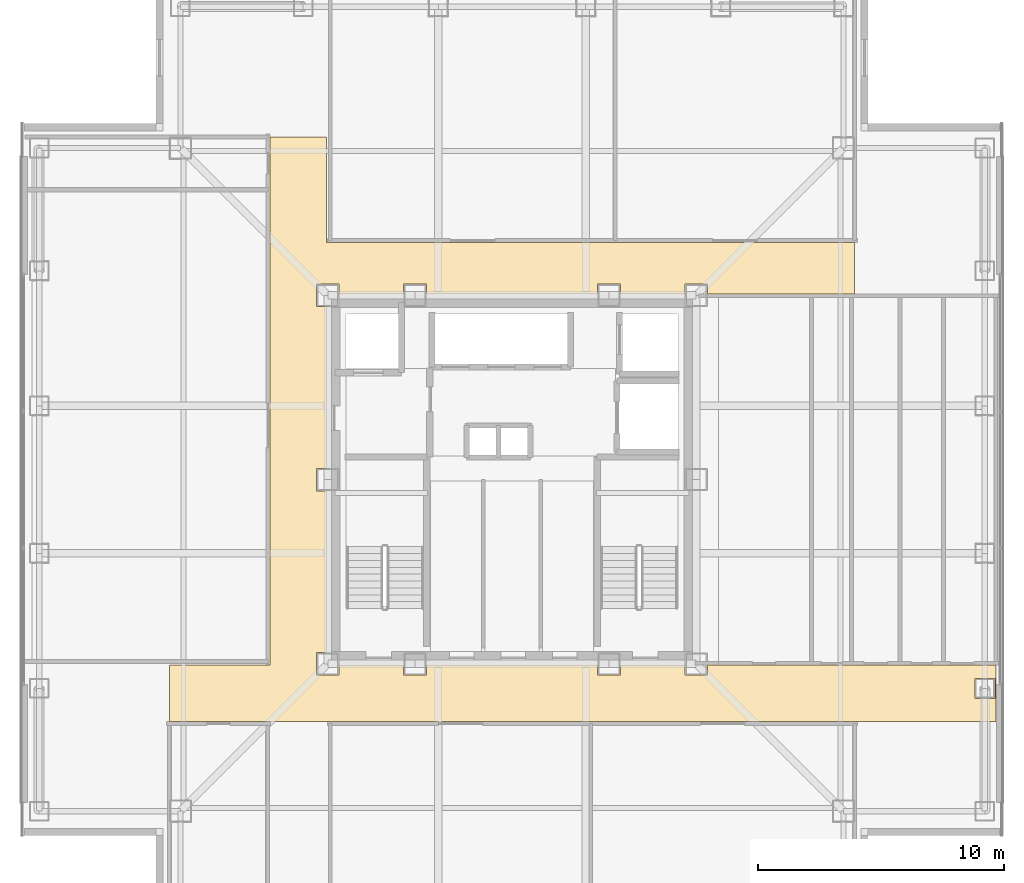
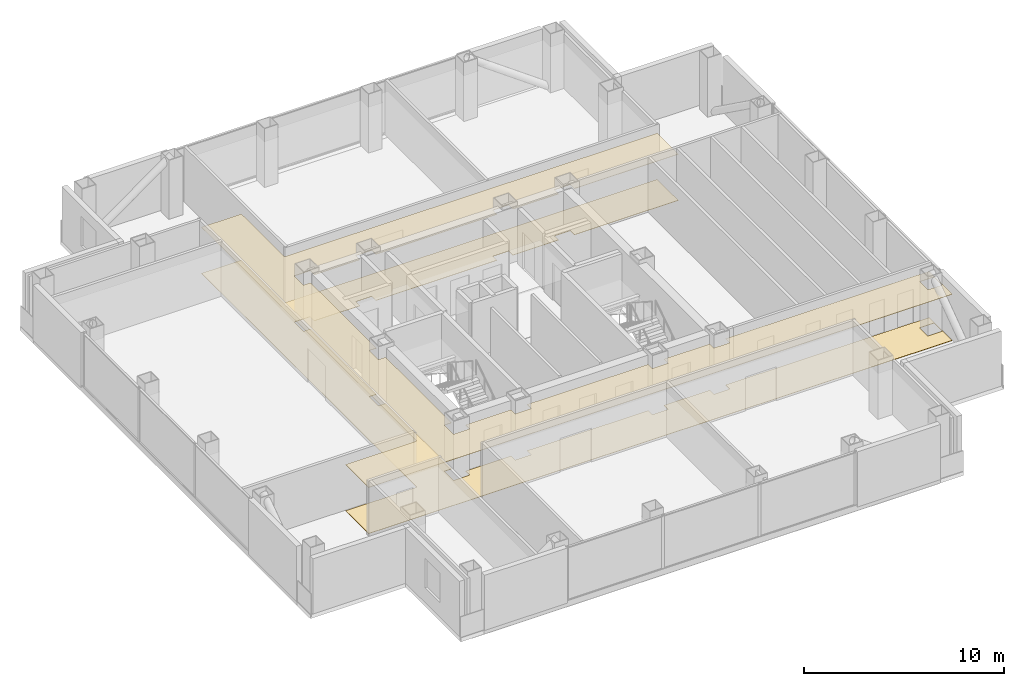
# One storey, part 15 of 17: 2 coverings.
"""IFC4 building model written with IfcOpenShell, lengths in metres."""

from ifc_helpers import new_model, si_unit, direction, frame, origin, place, context, subcontext, project, spatial, polyline, outline, extrude, material, layer, layer_set, type_object, element, save


model = new_model("IFC4")

# Units and contexts
model_context = context("Model", 3, precision=1e-05, world=origin(), true_north=direction((0.0, 1.0)))
body_context = subcontext(model_context, "Body", "Model", "MODEL_VIEW")
ifc_project = project(units=[si_unit("LENGTHUNIT", "METRE"), si_unit("AREAUNIT", "SQUARE_METRE"), si_unit("VOLUMEUNIT", "CUBIC_METRE"), si_unit("PLANEANGLEUNIT", "RADIAN"), si_unit("MASSUNIT", "GRAM", prefix="KILO")], contexts=[model_context])

# Site, building, storey
site_placement = place(None, origin())
site = spatial("IfcSite", under=ifc_project, at=site_placement, CompositionType="ELEMENT")
building_placement = place(site_placement, origin())
building = spatial("IfcBuilding", under=site, at=building_placement, Name="Trevonay Congress Spire", CompositionType="ELEMENT")
storey_placement = place(building_placement, frame((0.0, 0.0, 191.39990234375)))
storey = spatial("IfcBuildingStorey", under=building, at=storey_placement, Name="L49", CompositionType="ELEMENT", Elevation=191.39990234375)

# Coverings
ifc_material_1 = material(Name="Acoustic Mineral Fibre Board", Category="gypsum")
ifc_layer_1 = layer(ifc_material_1, 0.02490234375, Name="Acoustic Mineral Fibre Board")
ifc_layer_set_1 = layer_set([ifc_layer_1], Name="Acoustic Mineral Fibre Board")
covering_type_1 = type_object("IfcCoveringType", Name="COV-CEIL-ACOUSTIC", PredefinedType="CEILING", material=ifc_layer_set_1)
covering_1_placement = place(storey_placement, frame((0.0, 0.0, 2.81005859375)))
element("IfcCovering", 1, at=covering_1_placement, inside=storey, type_object=covering_type_1, Name="L49 Cruciform Boulevard Corridor acoustic suspended ceiling", PredefinedType="CEILING", context=body_context, shape_type="SweptSolid", body=[
    extrude(outline(polyline([(19.699951171875, -7.550048828125), (19.699951171875, -9.85009765625), (-13.949951171875, -9.85009765625), (-13.949951171875, -7.550048828125), (-9.85009765625, -7.550048828125), (-9.85009765625, 13.949951171875), (-7.550048828125, 13.949951171875), (-7.550048828125, 9.64990234375), (13.949951171875, 9.64990234375), (13.949951171875, 7.550048828125), (7.9599609375, 7.550048828125), (7.9599609375, 7.9599609375), (7.0400390625, 7.9599609375), (7.0400390625, 7.550048828125), (4.409912109375, 7.550048828125), (4.409912109375, 7.9599609375), (3.489990234375, 7.9599609375), (3.489990234375, 7.550048828125), (-3.489990234375, 7.550048828125), (-3.489990234375, 7.9599609375), (-4.409912109375, 7.9599609375), (-4.409912109375, 7.550048828125), (-7.0400390625, 7.550048828125), (-7.0400390625, 7.9599609375), (-7.9599609375, 7.9599609375), (-7.9599609375, 7.0400390625), (-7.550048828125, 7.0400390625), (-7.550048828125, 0.4599609375), (-7.9599609375, 0.4599609375), (-7.9599609375, -0.4599609375), (-7.550048828125, -0.4599609375), (-7.550048828125, -7.0400390625), (-7.9599609375, -7.0400390625), (-7.9599609375, -7.9599609375), (-7.0400390625, -7.9599609375), (-7.0400390625, -7.550048828125), (-4.409912109375, -7.550048828125), (-4.409912109375, -7.9599609375), (-3.489990234375, -7.9599609375), (-3.489990234375, -7.550048828125), (3.489990234375, -7.550048828125), (3.489990234375, -7.9599609375), (4.409912109375, -7.9599609375), (4.409912109375, -7.550048828125), (7.0400390625, -7.550048828125), (7.0400390625, -7.9599609375), (7.9599609375, -7.9599609375), (7.9599609375, -7.550048828125), (19.699951171875, -7.550048828125)]), holes=[polyline([(19.659912109375, -8.090087890625), (18.840087890625, -8.090087890625), (18.840087890625, -8.909912109375), (19.659912109375, -8.909912109375), (19.659912109375, -8.090087890625)])]), origin(), (0.0, 0.0, 1.0), 0.025146484375),
])
ifc_material_2 = material(Name="Polished Granite Floor Tile", Category="masonry")
ifc_layer_2 = layer(ifc_material_2, 0.02001953125, Name="Polished Granite Floor Tile")
ifc_layer_set_2 = layer_set([ifc_layer_2], Name="Polished Granite Floor Tile")
covering_type_2 = type_object("IfcCoveringType", Name="COV-FLOOR-STONE", PredefinedType="FLOORING", material=ifc_layer_set_2)
covering_2_placement = place(storey_placement, origin())
element("IfcCovering", 2, at=covering_2_placement, inside=storey, type_object=covering_type_2, Name="L49 Cruciform Boulevard Corridor floor finish", PredefinedType="FLOORING", context=body_context, shape_type="SweptSolid", body=[
    extrude(outline(polyline([(19.699951171875, -7.550048828125), (19.699951171875, -9.85009765625), (-13.949951171875, -9.85009765625), (-13.949951171875, -7.550048828125), (-9.85009765625, -7.550048828125), (-9.85009765625, 13.949951171875), (-7.550048828125, 13.949951171875), (-7.550048828125, 9.64990234375), (13.949951171875, 9.64990234375), (13.949951171875, 7.550048828125), (7.9599609375, 7.550048828125), (7.9599609375, 7.9599609375), (7.0400390625, 7.9599609375), (7.0400390625, 7.550048828125), (4.409912109375, 7.550048828125), (4.409912109375, 7.9599609375), (3.489990234375, 7.9599609375), (3.489990234375, 7.550048828125), (-3.489990234375, 7.550048828125), (-3.489990234375, 7.9599609375), (-4.409912109375, 7.9599609375), (-4.409912109375, 7.550048828125), (-7.0400390625, 7.550048828125), (-7.0400390625, 7.9599609375), (-7.9599609375, 7.9599609375), (-7.9599609375, 7.0400390625), (-7.550048828125, 7.0400390625), (-7.550048828125, 0.4599609375), (-7.9599609375, 0.4599609375), (-7.9599609375, -0.4599609375), (-7.550048828125, -0.4599609375), (-7.550048828125, -7.0400390625), (-7.9599609375, -7.0400390625), (-7.9599609375, -7.9599609375), (-7.0400390625, -7.9599609375), (-7.0400390625, -7.550048828125), (-4.409912109375, -7.550048828125), (-4.409912109375, -7.9599609375), (-3.489990234375, -7.9599609375), (-3.489990234375, -7.550048828125), (3.489990234375, -7.550048828125), (3.489990234375, -7.9599609375), (4.409912109375, -7.9599609375), (4.409912109375, -7.550048828125), (7.0400390625, -7.550048828125), (7.0400390625, -7.9599609375), (7.9599609375, -7.9599609375), (7.9599609375, -7.550048828125), (19.699951171875, -7.550048828125)]), holes=[polyline([(19.659912109375, -8.090087890625), (18.840087890625, -8.090087890625), (18.840087890625, -8.909912109375), (19.659912109375, -8.909912109375), (19.659912109375, -8.090087890625)])]), origin(), (0.0, 0.0, 1.0), 0.02001953125),
])

save(model, "model.ifc")
